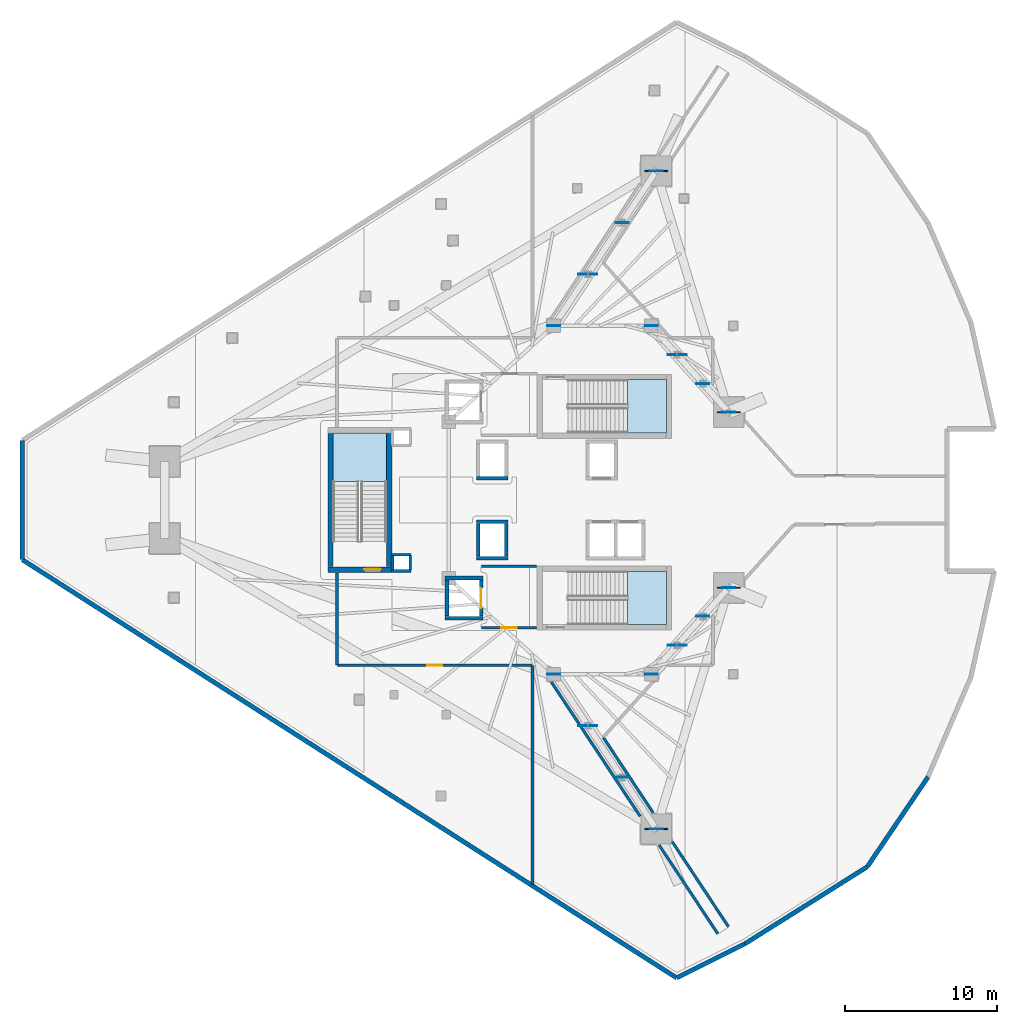
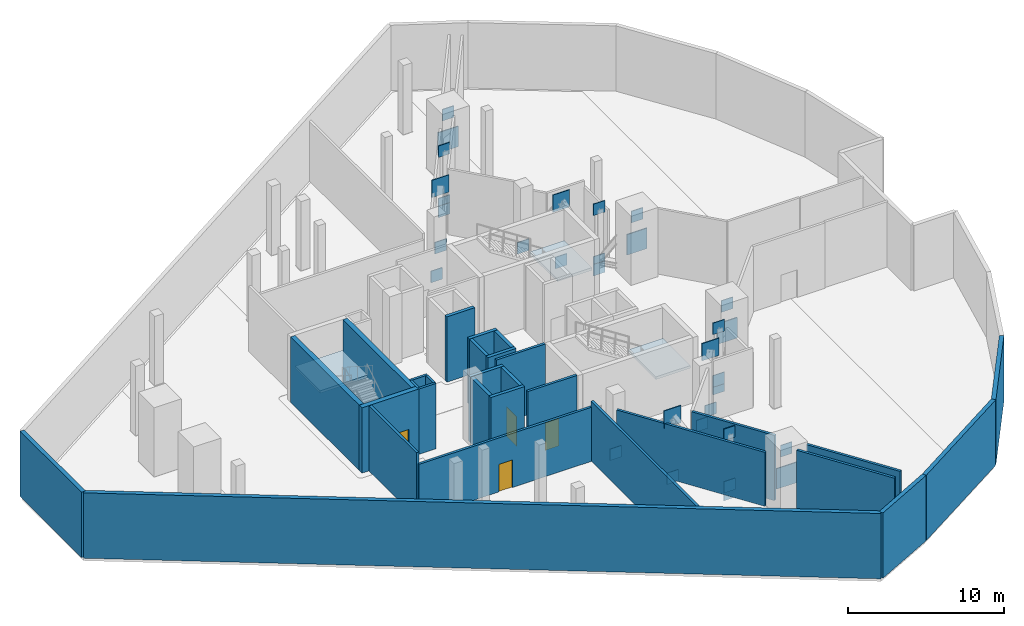
# One storey, part 4 of 13: 32 plates, 30 walls, 4 doors, 3 slabs, 4 openings, 3 elements without a shape of their own.
"""IFC4 building model written with IfcOpenShell, lengths in metres."""

from ifc_helpers import new_model, si_unit, direction, frame, frame_2d, origin, origin_2d, place, context, subcontext, project, spatial, polyline, rectangle, outline, extrude, material, layer, layer_set, type_object, element, fill, aggregate, save


model = new_model("IFC4")

# Units and contexts
model_context = context("Model", 3, precision=1e-05, world=origin(), true_north=direction((0.0, 1.0)))
body_context = subcontext(model_context, "Body", "Model", "MODEL_VIEW")
ifc_project = project(units=[si_unit("LENGTHUNIT", "METRE"), si_unit("AREAUNIT", "SQUARE_METRE"), si_unit("VOLUMEUNIT", "CUBIC_METRE"), si_unit("PLANEANGLEUNIT", "RADIAN"), si_unit("MASSUNIT", "GRAM", prefix="KILO")], contexts=[model_context])

# Site, building, storey
site_placement = place(None, origin())
site = spatial("IfcSite", under=ifc_project, at=site_placement, CompositionType="ELEMENT")
building_placement = place(site_placement, origin())
building = spatial("IfcBuilding", under=site, at=building_placement, Name="Qorvath Tower", CompositionType="ELEMENT")
storey_placement = place(building_placement, frame((0.0, 0.0, 174.60009765625)))
storey = spatial("IfcBuildingStorey", under=building, at=storey_placement, Name="L40", CompositionType="ELEMENT", Elevation=174.60009765625)

# Plates
ifc_material_1 = material(Name="Steel ASTM A572 Grade 50", Category="steel")
ifc_layer_1 = layer(ifc_material_1, 0.06005859375)
ifc_layer_set_1 = layer_set([ifc_layer_1], Name="PL-BN1")
plate_type_1 = type_object("IfcPlateType", Name="PL-BN1", PredefinedType="USERDEFINED", material=ifc_layer_set_1)
for number, where, z_axis, x_axis, name in (
    (1, (-21.357177734375, 14.84228515625, 3.874755859375), (0.0, 0.0, 1.0), (1.0, 0.0, 0.0), "Outrigger Panel Node Gusset OB2-1"),
    (2, (-15.4990234375, 9.552734375, 3.874755859375), (0.0, 0.0, 1.0), (1.0, 0.0, 0.0), "Outrigger Panel Node Gusset OB2-2"),
    (3, (-15.4990234375, -9.552734375, 3.874755859375), (0.0, 0.0, 1.0), (1.0, 0.0, 0.0), "Outrigger Panel Node Gusset OB2-3"),
    (4, (-21.357177734375, -14.84228515625, 3.874755859375), (0.0, 0.0, 1.0), (1.0, 0.0, 0.0), "Outrigger Panel Node Gusset OB2-4"),
):
    element("IfcPlate", number, at=place(storey_placement, frame(where, z_axis=z_axis, x_axis=x_axis)), inside=storey, type_object=plate_type_1, Name=name, ObjectType="GUSSET", PredefinedType="USERDEFINED", context=body_context, shape_type="SweptSolid", body=[
        extrude(rectangle(XDim=1.25, YDim=0.06005859375, at=origin_2d()), origin(), (0.0, 0.0, 1.0), 1.35009765625),
    ])
for number, where, z_axis, x_axis, name in (
    (5, (-21.357177734375, 14.84228515625, -0.60009765625), (0.0, 0.0, 1.0), (1.0, 0.0, 0.0), "Brace Strut End Gusset Plate NDBG-025"),
    (6, (-19.114501953125, 18.234619140625, -0.60009765625), (0.0, 0.0, 1.0), (1.0, 0.0, 0.0), "Brace Strut End Gusset Plate NDBG-026"),
    (7, (-19.114501953125, 18.234619140625, 4.099853515625), (0.0, 0.0, 1.0), (1.0, 0.0, 0.0), "Brace Strut End Gusset Plate NDBG-027"),
    (8, (-23.60009765625, 11.449951171875, 0.0), (0.0, 0.0, 1.0), (1.0, 0.0, 0.0), "Brace Strut End Gusset Plate NDBG-028"),
    (9, (-19.114501953125, 18.234619140625, 0.0), (0.0, 0.0, 1.0), (1.0, 0.0, 0.0), "Brace Strut End Gusset Plate NDBG-029"),
    (10, (-16.87158203125, 21.627197265625, 4.099853515625), (0.0, 0.0, 1.0), (1.0, 0.0, 0.0), "Brace Strut End Gusset Plate NDBG-030"),
    (11, (-15.4990234375, 9.552734375, -0.60009765625), (0.0, 0.0, 1.0), (1.0, 0.0, 0.0), "Brace Strut End Gusset Plate NDBG-031"),
    (12, (-13.7978515625, 7.6552734375, -0.60009765625), (0.0, 0.0, 1.0), (1.0, 0.0, 0.0), "Brace Strut End Gusset Plate NDBG-032"),
    (13, (-13.7978515625, 7.6552734375, 4.099853515625), (0.0, 0.0, 1.0), (1.0, 0.0, 0.0), "Brace Strut End Gusset Plate NDBG-033"),
    (14, (-17.199951171875, 11.449951171875, 0.0), (0.0, 0.0, 1.0), (1.0, 0.0, 0.0), "Brace Strut End Gusset Plate NDBG-034"),
    (15, (-13.7978515625, 7.6552734375, 0.0), (0.0, 0.0, 1.0), (1.0, 0.0, 0.0), "Brace Strut End Gusset Plate NDBG-035"),
    (16, (-12.0966796875, 5.7578125, 4.099853515625), (0.0, 0.0, 1.0), (1.0, 0.0, 0.0), "Brace Strut End Gusset Plate NDBG-036"),
    (17, (-15.4990234375, -9.552734375, -0.60009765625), (0.0, 0.0, 1.0), (1.0, 0.0, 0.0), "Brace Strut End Gusset Plate NDBG-037"),
    (18, (-13.7978515625, -7.6552734375, -0.60009765625), (0.0, 0.0, 1.0), (1.0, 0.0, 0.0), "Brace Strut End Gusset Plate NDBG-038"),
    (19, (-13.7978515625, -7.6552734375, 4.099853515625), (0.0, 0.0, 1.0), (1.0, 0.0, 0.0), "Brace Strut End Gusset Plate NDBG-039"),
    (20, (-17.199951171875, -11.449951171875, 0.0), (0.0, 0.0, 1.0), (1.0, 0.0, 0.0), "Brace Strut End Gusset Plate NDBG-040"),
    (21, (-13.7978515625, -7.6552734375, 0.0), (0.0, 0.0, 1.0), (1.0, 0.0, 0.0), "Brace Strut End Gusset Plate NDBG-041"),
    (22, (-12.0966796875, -5.7578125, 4.099853515625), (0.0, 0.0, 1.0), (1.0, 0.0, 0.0), "Brace Strut End Gusset Plate NDBG-042"),
    (23, (-21.357177734375, -14.84228515625, -0.60009765625), (0.0, 0.0, 1.0), (1.0, 0.0, 0.0), "Brace Strut End Gusset Plate NDBG-043"),
    (24, (-19.114501953125, -18.234619140625, -0.60009765625), (0.0, 0.0, 1.0), (1.0, 0.0, 0.0), "Brace Strut End Gusset Plate NDBG-044"),
    (25, (-19.114501953125, -18.234619140625, 4.099853515625), (0.0, 0.0, 1.0), (1.0, 0.0, 0.0), "Brace Strut End Gusset Plate NDBG-045"),
    (26, (-23.60009765625, -11.449951171875, 0.0), (0.0, 0.0, 1.0), (1.0, 0.0, 0.0), "Brace Strut End Gusset Plate NDBG-046"),
    (27, (-19.114501953125, -18.234619140625, 0.0), (0.0, 0.0, 1.0), (1.0, 0.0, 0.0), "Brace Strut End Gusset Plate NDBG-047"),
    (28, (-16.87158203125, -21.627197265625, 4.099853515625), (0.0, 0.0, 1.0), (1.0, 0.0, 0.0), "Brace Strut End Gusset Plate NDBG-048"),
):
    element("IfcPlate", number, at=place(storey_placement, frame(where, z_axis=z_axis, x_axis=x_axis)), inside=storey, type_object=plate_type_1, Name=name, ObjectType="GUSSET", PredefinedType="USERDEFINED", context=body_context, shape_type="SweptSolid", body=[
        extrude(rectangle(XDim=0.85009765625, YDim=0.06005859375, at=origin_2d()), origin(), (0.0, 0.0, 1.0), 0.89990234375),
    ])
ifc_material_2 = material(Name="Steel ASTM A572 Grade 50", Category="steel")
ifc_layer_2 = layer(ifc_material_2, 0.074951171875)
ifc_layer_set_2 = layer_set([ifc_layer_2], Name="PL-ON1")
plate_type_2 = type_object("IfcPlateType", Name="PL-ON1", PredefinedType="USERDEFINED", material=ifc_layer_set_2)
for number, where, z_axis, x_axis, name in (
    (29, (-16.87158203125, 21.627197265625, 1.69970703125), (0.0, 0.0, 1.0), (1.0, 0.0, 0.0), "Outrigger Gusset Plate OB2-1"),
    (30, (-12.0966796875, 5.7578125, 1.69970703125), (0.0, 0.0, 1.0), (1.0, 0.0, 0.0), "Outrigger Gusset Plate OB2-2"),
    (31, (-12.0966796875, -5.7578125, 1.69970703125), (0.0, 0.0, 1.0), (1.0, 0.0, 0.0), "Outrigger Gusset Plate OB2-3"),
    (32, (-16.87158203125, -21.627197265625, 1.69970703125), (0.0, 0.0, 1.0), (1.0, 0.0, 0.0), "Outrigger Gusset Plate OB2-4"),
):
    element("IfcPlate", number, at=place(storey_placement, frame(where, z_axis=z_axis, x_axis=x_axis)), inside=storey, type_object=plate_type_2, Name=name, ObjectType="GUSSET", PredefinedType="USERDEFINED", context=body_context, shape_type="SweptSolid", body=[
        extrude(rectangle(XDim=1.5, YDim=0.074951171875, at=origin_2d()), origin(), (0.0, 0.0, 1.0), 1.60009765625),
    ])

# Stair, slab
ifc_material_3 = material(Name="Concrete C50/60", Category="concrete")
stair_type = type_object("IfcStairType", Name="ST-H540", PredefinedType="HALF_TURN_STAIR", material=ifc_material_3)
stair_1_placement = place(storey_placement, origin())
stair_1 = element("IfcStair", 33, at=stair_1_placement, inside=storey, type_object=stair_type, Name="L40 Tower Exit Stair 1", PredefinedType="HALF_TURN_STAIR")
ifc_material_4 = material(Name="Concrete C50/60", Category="concrete")
ifc_layer_3 = layer(ifc_material_4, 0.199951171875)
ifc_layer_set_3 = layer_set([ifc_layer_3], Name="SL-LND-200")
slab_type = type_object("IfcSlabType", Name="SL-LND-200", PredefinedType="LANDING", material=ifc_layer_set_3)
slab_1_placement = place(storey_placement, frame((0.0, 0.0, 2.5)))
slab_1 = element("IfcSlab", 34, at=slab_1_placement, type_object=slab_type, Name="TS1 landing 1", PredefinedType="LANDING", context=body_context, shape_type="SweptSolid", body=[
    extrude(outline(polyline([(-18.75, 4.39990234375), (-16.199951171875, 4.39990234375), (-16.199951171875, 7.909912109375), (-18.75, 7.909912109375), (-18.75, 4.39990234375)])), origin(), (0.0, 0.0, 1.0), 0.199951171875),
])
aggregate(stair_1, [slab_1])

stair_2_placement = place(storey_placement, origin())
stair_2 = element("IfcStair", 35, at=stair_2_placement, inside=storey, type_object=stair_type, Name="L40 Tower Exit Stair 2", PredefinedType="HALF_TURN_STAIR")
slab_2_placement = place(storey_placement, frame((0.0, 0.0, 2.5)))
slab_2 = element("IfcSlab", 36, at=slab_2_placement, type_object=slab_type, Name="TS2 landing 1", PredefinedType="LANDING", context=body_context, shape_type="SweptSolid", body=[
    extrude(outline(polyline([(-18.75, -8.199951171875), (-16.199951171875, -8.199951171875), (-16.199951171875, -4.68994140625), (-18.75, -4.68994140625), (-18.75, -8.199951171875)])), origin(), (0.0, 0.0, 1.0), 0.199951171875),
])
aggregate(stair_2, [slab_2])

stair_3_placement = place(storey_placement, origin())
stair_3 = element("IfcStair", 37, at=stair_3_placement, inside=storey, type_object=stair_type, Name="L40 Tower Exit Stair 3", PredefinedType="HALF_TURN_STAIR")
slab_3_placement = place(storey_placement, frame((0.0, 0.0, 2.5)))
slab_3 = element("IfcSlab", 38, at=slab_3_placement, type_object=slab_type, Name="TS3 landing 1", PredefinedType="LANDING", context=body_context, shape_type="SweptSolid", body=[
    extrude(outline(polyline([(-34.60009765625, 1.199951171875), (-34.60009765625, 4.39990234375), (-38.110107421875, 4.39990234375), (-38.110107421875, 1.199951171875), (-34.60009765625, 1.199951171875)])), origin(), (0.0, 0.0, 1.0), 0.199951171875),
])
aggregate(stair_3, [slab_3])

# Walls
ifc_material_5 = material(Name="Gypsum shaftliner on steel studs", Category="steel")
ifc_layer_4 = layer(ifc_material_5, 0.179931640625)
ifc_layer_set_4 = layer_set([ifc_layer_4], Name="FW-LOBBY")
wall_type_1 = type_object("IfcWallType", Name="FW-LOBBY", PredefinedType="PARTITIONING", material=ifc_layer_set_4)
for number, where, z_axis, x_axis, name in (
    (39, (-32.989990234375, -4.675048828125, 0.0), (0.0, 0.0, 1.0), (-1.0, 0.0, 0.0), "MEP Riser Shaft Enclosure Wall S-L40-S"),
    (40, (-34.260009765625, -3.594970703125, 0.0), (0.0, 0.0, 1.0), (1.0, 0.0, 0.0), "MEP Riser Shaft Enclosure Wall S-L40-N"),
):
    element("IfcWall", number, at=place(storey_placement, frame(where, z_axis=z_axis, x_axis=x_axis)), inside=storey, type_object=wall_type_1, Name=name, PredefinedType="PARTITIONING", context=body_context, shape_type="SweptSolid", body=[
        extrude(rectangle(XDim=1.27001953125, YDim=0.179931640625, at=frame_2d((0.635009765625, 0.0))), origin(), (0.0, 0.0, 1.0), 5.099853515625),
    ])
for number, where, z_axis, x_axis, name in (
    (41, (-34.205078125, -4.610107421875, 0.0), (0.0, 0.0, 1.0), (0.0, 1.0, 0.0), "MEP Riser Shaft Enclosure Wall S-L40-W"),
    (42, (-33.044921875, -3.659912109375, 0.0), (0.0, 0.0, 1.0), (0.0, -1.0, 0.0), "MEP Riser Shaft Enclosure Wall S-L40-E"),
):
    element("IfcWall", number, at=place(storey_placement, frame(where, z_axis=z_axis, x_axis=x_axis)), inside=storey, type_object=wall_type_1, Name=name, PredefinedType="PARTITIONING", context=body_context, shape_type="SweptSolid", body=[
        extrude(rectangle(XDim=0.9501953125, YDim=0.179931640625, at=frame_2d((0.47509765625, 0.0))), origin(), (0.0, 0.0, 1.0), 5.099853515625),
    ])

# Wall, opening, door
wall_1_placement = place(storey_placement, frame((-28.35498046875, -8.39990234375, 0.0), z_axis=(0.0, 0.0, 1.0), x_axis=(1.0, 0.0, 0.0)))
wall_1 = element("IfcWall", 43, at=wall_1_placement, inside=storey, type_object=wall_type_1, Name="Interior Partition IW-T1-L40-003", PredefinedType="PARTITIONING", context=body_context, shape_type="SweptSolid", body=[
    extrude(rectangle(XDim=3.6220703125, YDim=0.179931640625, at=frame_2d((1.81103515625, 0.0))), origin(), (0.0, 0.0, 1.0), 5.099853515625),
])
opening_1_placement = place(wall_1_placement, frame((1.31103515625, 0.0, 0.0)))
opening_1 = element("IfcOpeningElement", 44, at=opening_1_placement, cuts=wall_1, Name="Opening D-T1-L40-05", PredefinedType="OPENING", context=body_context, shape_type="SweptSolid", body=[
    extrude(rectangle(XDim=1.0, YDim=2.14990234375, at=frame_2d((0.5, 1.074951171875))), frame((0.0, 0.10009765625, 0.0), z_axis=(0.0, -1.0, 0.0), x_axis=(1.0, 0.0, 0.0)), (0.0, 0.0, 1.0), 0.199951171875),
])
ifc_material_6 = material(Name="Painted galvanised hollow metal", Category="steel")
door_type_1 = type_object("IfcDoorType", Name="FD-60", OperationType="NOTDEFINED", PredefinedType="DOOR", material=ifc_material_6)
door_1_placement = place(opening_1_placement, origin())
door_1 = element("IfcDoor", 45, at=door_1_placement, inside=storey, type_object=door_type_1, Name="Lobby Fire Service Elevator South Door D-T1-L40-05", OperationType="SINGLE_SWING_LEFT", OverallHeight=2.14990234375, OverallWidth=1.0, PredefinedType="DOOR", context=body_context, shape_type="SweptSolid", body=[
    extrude(rectangle(XDim=1.0, YDim=2.14990234375, at=frame_2d((0.5, 1.074951171875))), frame((0.0, 0.02490234375, 0.0), z_axis=(0.0, -1.0, 0.0), x_axis=(1.0, 0.0, 0.0)), (0.0, 0.0, 1.0), 0.050048828125),
])
fill(opening_1, door_1)

# Walls
wall_2_placement = place(storey_placement, frame((-24.73291015625, -4.35009765625, 0.0), z_axis=(0.0, 0.0, 1.0), x_axis=(-1.0, 0.0, 0.0)))
element("IfcWall", 46, at=wall_2_placement, inside=storey, type_object=wall_type_1, Name="Interior Partition IW-T1-L40-004", PredefinedType="PARTITIONING", context=body_context, shape_type="SweptSolid", body=[
    extrude(rectangle(XDim=3.6220703125, YDim=0.179931640625, at=frame_2d((1.81103515625, 0.0))), origin(), (0.0, 0.0, 1.0), 5.099853515625),
])
wall_3_placement = place(storey_placement, frame((-25.0, -25.2861328125, 0.0), z_axis=(0.0, 0.0, 1.0), x_axis=(0.0, 1.0, 0.0)))
element("IfcWall", 47, at=wall_3_placement, inside=storey, type_object=wall_type_1, Name="Interior Partition IW-T1-L40-005", PredefinedType="PARTITIONING", context=body_context, shape_type="SweptSolid", body=[
    extrude(rectangle(XDim=14.4033203125, YDim=0.179931640625, at=frame_2d((7.20166015625, 0.0))), origin(), (0.0, 0.0, 1.0), 4.6640625),
])

# Wall, opening, door
wall_4_placement = place(storey_placement, frame((-37.8330078125, -10.85791015625, 0.0), z_axis=(0.0, 0.0, 1.0), x_axis=(1.0, 0.0, 0.0)))
wall_4 = element("IfcWall", 48, at=wall_4_placement, inside=storey, type_object=wall_type_1, Name="Interior Partition IW-T1-L40-006", PredefinedType="PARTITIONING", context=body_context, shape_type="SweptSolid", body=[
    extrude(rectangle(XDim=12.80810546875, YDim=0.179931640625, at=frame_2d((6.404052734375, 0.0))), origin(), (0.0, 0.0, 1.0), 4.2197265625),
])
opening_2_placement = place(wall_4_placement, frame((5.904052734375, 0.0, 0.0)))
opening_2 = element("IfcOpeningElement", 49, at=opening_2_placement, cuts=wall_4, Name="Opening D-T1-L40-01", PredefinedType="OPENING", context=body_context, shape_type="SweptSolid", body=[
    extrude(rectangle(XDim=1.0, YDim=2.14990234375, at=frame_2d((0.5, 1.074951171875))), frame((0.0, 0.10009765625, 0.0), z_axis=(0.0, -1.0, 0.0), x_axis=(1.0, 0.0, 0.0)), (0.0, 0.0, 1.0), 0.199951171875),
])
ifc_material_7 = material(Name="Painted galvanised hollow metal", Category="steel")
door_type_2 = type_object("IfcDoorType", Name="FD-90B", OperationType="NOTDEFINED", PredefinedType="DOOR", material=ifc_material_7)
door_2_placement = place(opening_2_placement, origin())
door_2 = element("IfcDoor", 50, at=door_2_placement, inside=storey, type_object=door_type_2, Name="Area of Refuge L40 Door D-T1-L40-01", OperationType="SINGLE_SWING_LEFT", OverallHeight=2.14990234375, OverallWidth=1.0, PredefinedType="DOOR", context=body_context, shape_type="SweptSolid", body=[
    extrude(rectangle(XDim=1.0, YDim=2.14990234375, at=frame_2d((0.5, 1.074951171875))), frame((0.0, 0.02490234375, 0.0), z_axis=(0.0, -1.0, 0.0), x_axis=(1.0, 0.0, 0.0)), (0.0, 0.0, 1.0), 0.050048828125),
])
fill(opening_2, door_2)

# Walls
wall_5_placement = place(storey_placement, frame((-37.85791015625, -10.8330078125, 0.0), z_axis=(0.0, 0.0, 1.0), x_axis=(0.0, 1.0, 0.0)))
element("IfcWall", 51, at=wall_5_placement, inside=storey, type_object=wall_type_1, Name="Interior Partition IW-T1-L40-007", PredefinedType="PARTITIONING", context=body_context, shape_type="SweptSolid", body=[
    extrude(rectangle(XDim=6.0498046875, YDim=0.179931640625, at=frame_2d((3.02490234375, 0.0))), origin(), (0.0, 0.0, 1.0), 5.099853515625),
])
wall_6_placement = place(storey_placement, frame((-20.34033203125, -15.6181640625, 0.0), z_axis=(0.0, 0.0, 1.0), x_axis=(0.551466512671, -0.834197030325, 0.0)))
element("IfcWall", 52, at=wall_6_placement, inside=storey, type_object=wall_type_1, Name="Interior Partition IW-T1-L40-028", PredefinedType="PARTITIONING", context=body_context, shape_type="SweptSolid", body=[
    extrude(rectangle(XDim=5.931396484375, YDim=0.179931640625, at=frame_2d((2.9658203125, 0.0))), origin(), (0.0, 0.0, 1.0), 5.099853515625),
])
wall_7_placement = place(storey_placement, frame((-15.81787109375, -22.45947265625, 0.0), z_axis=(0.0, 0.0, 1.0), x_axis=(0.551458373424, -0.834202410918, 0.0)))
element("IfcWall", 53, at=wall_7_placement, inside=storey, type_object=wall_type_1, Name="Interior Partition IW-T1-L40-029", PredefinedType="PARTITIONING", context=body_context, shape_type="SweptSolid", body=[
    extrude(rectangle(XDim=6.69970703125, YDim=0.179931640625, at=frame_2d((3.349853515625, 0.0))), origin(), (0.0, 0.0, 1.0), 5.099853515625),
])
wall_8_placement = place(storey_placement, frame((-16.673583984375, -22.68798828125, 0.0), z_axis=(0.0, 0.0, 1.0), x_axis=(0.551467665493, -0.834196268222, 0.0)))
element("IfcWall", 54, at=wall_8_placement, inside=storey, type_object=wall_type_1, Name="Interior Partition IW-T1-L40-030", PredefinedType="PARTITIONING", context=body_context, shape_type="SweptSolid", body=[
    extrude(rectangle(XDim=6.980712890625, YDim=0.179931640625, at=frame_2d((3.490234375, 0.0))), origin(), (0.0, 0.0, 1.0), 5.099853515625),
])
wall_9_placement = place(storey_placement, frame((-23.765625, -11.9609375, 0.0), z_axis=(0.0, 0.0, 1.0), x_axis=(0.551498549629, -0.83417585062, 0.0)))
element("IfcWall", 55, at=wall_9_placement, inside=storey, type_object=wall_type_1, Name="Interior Partition IW-T1-L40-031", PredefinedType="PARTITIONING", context=body_context, shape_type="SweptSolid", body=[
    extrude(rectangle(XDim=10.589599609375, YDim=0.179931640625, at=frame_2d((5.294921875, 0.0))), origin(), (0.0, 0.0, 1.0), 4.2197265625),
])
ifc_material_8 = material(Name="Concrete C60/75", Category="concrete")
ifc_layer_5 = layer(ifc_material_8, 0.260009765625)
ifc_layer_set_5 = layer_set([ifc_layer_5], Name="SW-SHAFT")
wall_type_2 = type_object("IfcWallType", Name="SW-SHAFT", PredefinedType="SHEAR", material=ifc_layer_set_5)
for number, where, z_axis, x_axis, name in (
    (56, (-28.260009765625, -7.77001953125, 0.0), (0.0, 0.0, 1.0), (-1.0, 0.0, 0.0), "Hoistway Wall FSAE-2 L40 S"),
    (57, (-30.739990234375, -5.1298828125, 0.0), (0.0, 0.0, 1.0), (1.0, 0.0, 0.0), "Hoistway Wall FSAE-2 L40 N"),
):
    element("IfcWall", number, at=place(storey_placement, frame(where, z_axis=z_axis, x_axis=x_axis)), inside=storey, type_object=wall_type_2, Name=name, PredefinedType="SHEAR", context=body_context, shape_type="SweptSolid", body=[
        extrude(rectangle(XDim=2.47998046875, YDim=0.239990234375, at=frame_2d((1.239990234375, 0.0))), origin(), (0.0, 0.0, 1.0), 5.099853515625),
    ])
wall_10_placement = place(storey_placement, frame((-30.6201171875, -7.637939453125, 0.0), z_axis=(0.0, 0.0, 1.0), x_axis=(0.0, 1.0, 0.0)))
element("IfcWall", 58, at=wall_10_placement, inside=storey, type_object=wall_type_2, Name="Hoistway Wall FSAE-2 L40 W", PredefinedType="SHEAR", context=body_context, shape_type="SweptSolid", body=[
    extrude(rectangle(XDim=2.3759765625, YDim=0.239990234375, at=frame_2d((1.18798828125, 0.0))), origin(), (0.0, 0.0, 1.0), 5.099853515625),
])

# Wall, opening, door
wall_11_placement = place(storey_placement, frame((-28.3798828125, -5.261962890625, 0.0), z_axis=(0.0, 0.0, 1.0), x_axis=(0.0, -1.0, 0.0)))
wall_11 = element("IfcWall", 59, at=wall_11_placement, inside=storey, type_object=wall_type_2, Name="Hoistway Wall FSAE-2 L40 E", PredefinedType="SHEAR", context=body_context, shape_type="SweptSolid", body=[
    extrude(rectangle(XDim=2.3759765625, YDim=0.239990234375, at=frame_2d((1.18798828125, 0.0))), origin(), (0.0, 0.0, 1.0), 5.099853515625),
])
opening_3_placement = place(wall_11_placement, frame((0.5380859375, 0.0, 0.0)))
opening_3 = element("IfcOpeningElement", 60, at=opening_3_placement, cuts=wall_11, Name="Opening LD-FSAE-2-L40", PredefinedType="OPENING", context=body_context, shape_type="SweptSolid", body=[
    extrude(rectangle(XDim=1.300048828125, YDim=2.300048828125, at=frame_2d((0.64990234375, 1.14990234375))), frame((0.0, 0.1298828125, 0.0), z_axis=(0.0, -1.0, 0.0), x_axis=(1.0, 0.0, 0.0)), (0.0, 0.0, 1.0), 0.260009765625),
])
ifc_material_9 = material(Name="Brushed stainless steel AISI 316", Category="steel")
door_type_3 = type_object("IfcDoorType", Name="LD-02", OperationType="NOTDEFINED", PredefinedType="DOOR", material=ifc_material_9)
door_3_placement = place(opening_3_placement, origin())
door_3 = element("IfcDoor", 61, at=door_3_placement, inside=storey, type_object=door_type_3, Name="Elevator Landing Sliding Door LD-FSAE-2-L40", OperationType="DOUBLE_DOOR_SLIDING", OverallHeight=2.300048828125, OverallWidth=1.300048828125, PredefinedType="DOOR", context=body_context, shape_type="SweptSolid", body=[
    extrude(rectangle(XDim=1.300048828125, YDim=2.300048828125, at=frame_2d((0.64990234375, 1.14990234375))), frame((0.0, 0.02490234375, 0.0), z_axis=(0.0, -1.0, 0.0), x_axis=(1.0, 0.0, 0.0)), (0.0, 0.0, 1.0), 0.050048828125),
])
fill(opening_3, door_3)

# Walls
for number, where, z_axis, x_axis, name in (
    (62, (-26.610107421875, 1.429931640625, 0.0), (0.0, 0.0, 1.0), (-1.0, 0.0, 0.0), "Hoistway Wall PS-1 L40 S"),
    (63, (-26.610107421875, -3.820068359375, 0.0), (0.0, 0.0, 1.0), (-1.0, 0.0, 0.0), "Hoistway Wall PS-2 L40 S"),
    (64, (-28.68994140625, -1.429931640625, 0.0), (0.0, 0.0, 1.0), (1.0, 0.0, 0.0), "Hoistway Wall PS-2 L40 N"),
):
    element("IfcWall", number, at=place(storey_placement, frame(where, z_axis=z_axis, x_axis=x_axis)), inside=storey, type_object=wall_type_2, Name=name, PredefinedType="SHEAR", context=body_context, shape_type="SweptSolid", body=[
        extrude(rectangle(XDim=2.079833984375, YDim=0.239990234375, at=frame_2d((1.0400390625, 0.0))), origin(), (0.0, 0.0, 1.0), 5.099853515625),
    ])
for number, where, z_axis, x_axis, name in (
    (65, (-28.570068359375, -3.68798828125, 0.0), (0.0, 0.0, 1.0), (0.0, 1.0, 0.0), "Hoistway Wall PS-2 L40 W"),
    (66, (-26.72998046875, -1.56201171875, 0.0), (0.0, 0.0, 1.0), (0.0, -1.0, 0.0), "Hoistway Wall PS-2 L40 E"),
):
    element("IfcWall", number, at=place(storey_placement, frame(where, z_axis=z_axis, x_axis=x_axis)), inside=storey, type_object=wall_type_2, Name=name, PredefinedType="SHEAR", context=body_context, shape_type="SweptSolid", body=[
        extrude(rectangle(XDim=2.1259765625, YDim=0.239990234375, at=frame_2d((1.06298828125, 0.0))), origin(), (0.0, 0.0, 1.0), 5.099853515625),
    ])

# Wall, opening, door
ifc_material_10 = material(Name="Concrete C60/75", Category="concrete")
ifc_layer_6 = layer(ifc_material_10, 0.35009765625)
ifc_layer_set_6 = layer_set([ifc_layer_6], Name="SW-STAIR")
wall_type_3 = type_object("IfcWallType", Name="SW-STAIR", PredefinedType="SHEAR", material=ifc_layer_set_6)
wall_12_placement = place(storey_placement, frame((-38.4599609375, -4.574951171875, 0.0), z_axis=(0.0, 0.0, 1.0), x_axis=(1.0, 0.0, 0.0)))
wall_12 = element("IfcWall", 67, at=wall_12_placement, inside=storey, type_object=wall_type_3, Name="Stair TS3 Shear Wall L40 NEAR", PredefinedType="SHEAR", context=body_context, shape_type="SweptSolid", body=[
    extrude(rectangle(XDim=4.2099609375, YDim=0.35009765625, at=frame_2d((2.10498046875, 0.0))), origin(), (0.0, 0.0, 1.0), 5.099853515625),
])
opening_4_placement = place(wall_12_placement, frame((2.389892578125, 0.0, 0.0)))
opening_4 = element("IfcOpeningElement", 68, at=opening_4_placement, cuts=wall_12, Name="Opening D-TS3-L40", PredefinedType="OPENING", context=body_context, shape_type="SweptSolid", body=[
    extrude(rectangle(XDim=1.10009765625, YDim=2.199951171875, at=frame_2d((0.550048828125, 1.10009765625))), frame((0.0, 0.18505859375, 0.0), z_axis=(0.0, -1.0, 0.0), x_axis=(1.0, 0.0, 0.0)), (0.0, 0.0, 1.0), 0.3701171875),
])
ifc_material_11 = material(Name="Painted galvanised hollow metal", Category="steel")
door_type_4 = type_object("IfcDoorType", Name="FD-90", OperationType="NOTDEFINED", PredefinedType="DOOR", material=ifc_material_11)
door_4_placement = place(opening_4_placement, origin())
door_4 = element("IfcDoor", 69, at=door_4_placement, inside=storey, type_object=door_type_4, Name="Stair TS3 Fire Door L40", OperationType="SINGLE_SWING_LEFT", OverallHeight=2.199951171875, OverallWidth=1.10009765625, PredefinedType="DOOR", context=body_context, shape_type="SweptSolid", body=[
    extrude(rectangle(XDim=1.10009765625, YDim=2.199951171875, at=frame_2d((0.550048828125, 1.10009765625))), frame((0.0, 0.02490234375, 0.0), z_axis=(0.0, -1.0, 0.0), x_axis=(1.0, 0.0, 0.0)), (0.0, 0.0, 1.0), 0.050048828125),
])
fill(opening_4, door_4)

# Walls
for number, where, z_axis, x_axis, name in (
    (70, (-34.425048828125, -4.385009765625, 0.0), (0.0, 0.0, 1.0), (0.0, 1.0, 0.0), "Stair TS3 Shear Wall L40 LEFT"),
    (71, (-38.284912109375, 4.385009765625, 0.0), (0.0, 0.0, 1.0), (0.0, -1.0, 0.0), "Stair TS3 Shear Wall L40 RIGHT"),
):
    element("IfcWall", number, at=place(storey_placement, frame(where, z_axis=z_axis, x_axis=x_axis)), inside=storey, type_object=wall_type_3, Name=name, PredefinedType="SHEAR", context=body_context, shape_type="SweptSolid", body=[
        extrude(rectangle(XDim=8.77001953125, YDim=0.35009765625, at=frame_2d((4.385009765625, 0.0))), origin(), (0.0, 0.0, 1.0), 5.099853515625),
    ])
ifc_material_12 = material(Name="Precast concrete C45/55", Category="concrete")
ifc_layer_7 = layer(ifc_material_12, 0.300048828125)
ifc_layer_set_7 = layer_set([ifc_layer_7], Name="WL-EW-LOG-300")
wall_type_4 = type_object("IfcWallType", Name="WL-EW-LOG-300", PredefinedType="SOLIDWALL", material=ifc_layer_set_7)
wall_13_placement = place(storey_placement, frame((-58.543212890625, -3.927490234375, 0.0), z_axis=(0.0, 0.0, 1.0), x_axis=(0.0, 1.0, 0.0)))
element("IfcWall", 72, at=wall_13_placement, inside=storey, type_object=wall_type_4, Name="Tower Precast Loggia Wall L40-1.1", PredefinedType="SOLIDWALL", context=body_context, shape_type="SweptSolid", body=[
    extrude(rectangle(XDim=7.85498046875, YDim=0.300048828125, at=frame_2d((3.927490234375, 0.0))), origin(), (0.0, 0.0, 1.0), 5.099853515625),
])
wall_14_placement = place(storey_placement, frame((-15.5263671875, -31.421142578125, 0.0), z_axis=(0.0, 0.0, 1.0), x_axis=(-0.842601444774, 0.538537654454, 0.0)))
element("IfcWall", 73, at=wall_14_placement, inside=storey, type_object=wall_type_4, Name="Tower Precast Loggia Wall L40-2.1", PredefinedType="SOLIDWALL", context=body_context, shape_type="SweptSolid", body=[
    extrude(rectangle(XDim=51.052490234375, YDim=0.300048828125, at=frame_2d((25.5263671875, 0.0))), origin(), (0.0, 0.0, 1.0), 5.099853515625),
])
wall_15_placement = place(storey_placement, frame((-11.03759765625, -29.1767578125, 0.0), z_axis=(0.0, 0.0, 1.0), x_axis=(-0.894427191, -0.4472135955, 0.0)))
element("IfcWall", 74, at=wall_15_placement, inside=storey, type_object=wall_type_4, Name="Tower Precast Loggia Wall L40-3.1", PredefinedType="SOLIDWALL", context=body_context, shape_type="SweptSolid", body=[
    extrude(rectangle(XDim=5.0185546875, YDim=0.300048828125, at=frame_2d((2.50927734375, 0.0))), origin(), (0.0, 0.0, 1.0), 5.099853515625),
])
wall_16_placement = place(storey_placement, frame((-2.9951171875, -24.11865234375, 0.0), z_axis=(0.0, 0.0, 1.0), x_axis=(-0.846502219536, -0.532385191681, 0.0)))
element("IfcWall", 75, at=wall_16_placement, inside=storey, type_object=wall_type_4, Name="Tower Precast Loggia Wall L40-4.1", PredefinedType="SOLIDWALL", context=body_context, shape_type="SweptSolid", body=[
    extrude(rectangle(XDim=9.500732421875, YDim=0.300048828125, at=frame_2d((4.75048828125, 0.0))), origin(), (0.0, 0.0, 1.0), 5.099853515625),
])
wall_17_placement = place(storey_placement, frame((1.01171875, -18.203369140625, 0.0), z_axis=(0.0, 0.0, 1.0), x_axis=(-0.560820188689, -0.827937628061, 0.0)))
element("IfcWall", 76, at=wall_17_placement, inside=storey, type_object=wall_type_4, Name="Tower Precast Loggia Wall L40-5.1", PredefinedType="SOLIDWALL", context=body_context, shape_type="SweptSolid", body=[
    extrude(rectangle(XDim=7.14453125, YDim=0.300048828125, at=frame_2d((3.572265625, 0.0))), origin(), (0.0, 0.0, 1.0), 5.099853515625),
])

save(model, "model.ifc")
